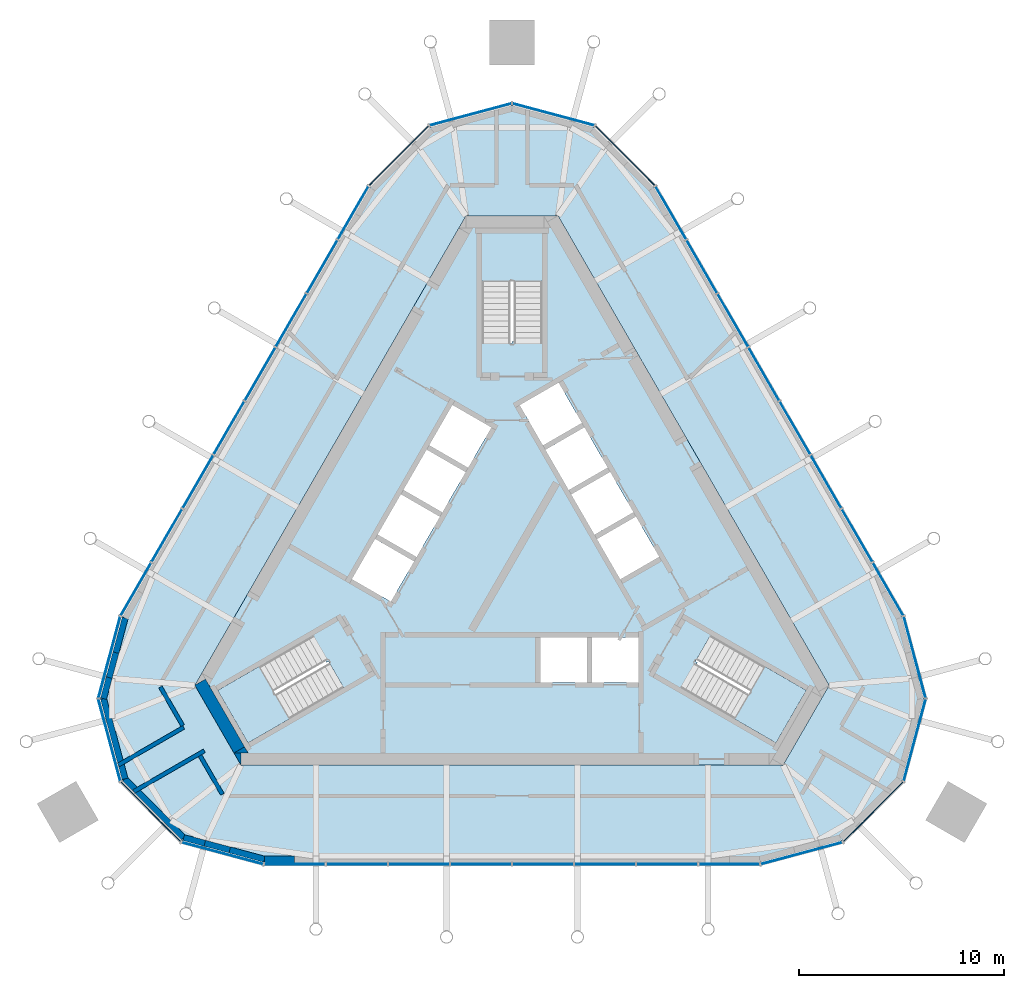
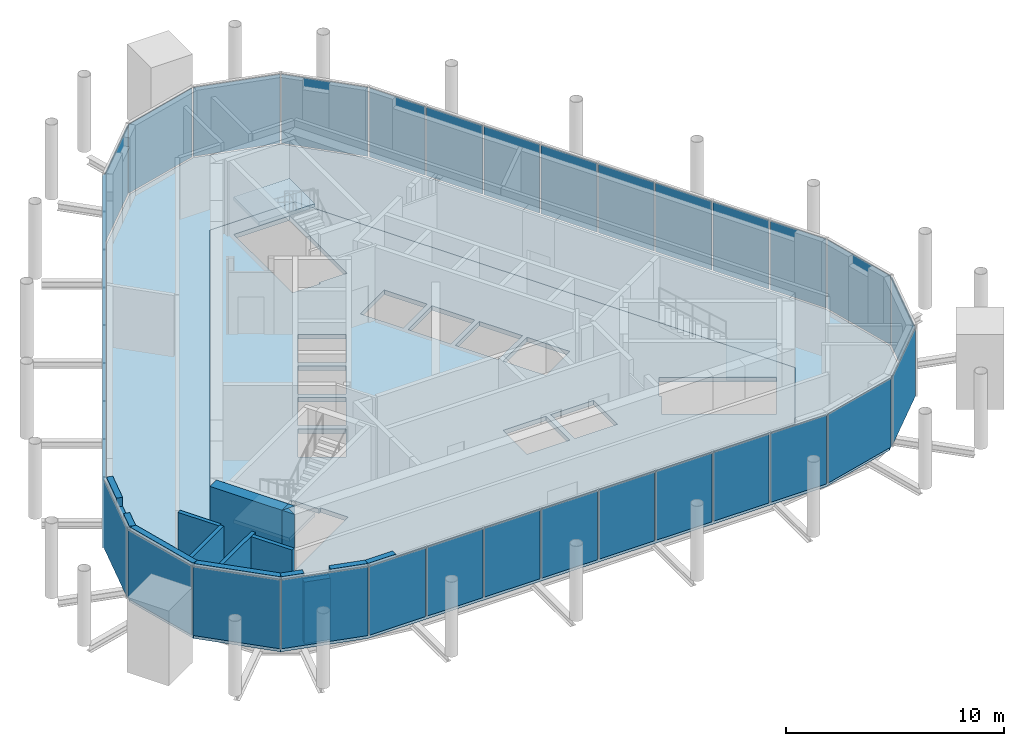
# One storey, part 6 of 11: 36 plates, 16 walls, 5 slabs, 9 elements without a shape of their own.
"""IFC4 building model written with IfcOpenShell, lengths in metres."""

from ifc_helpers import new_model, si_unit, direction, frame, frame_2d, origin, origin_2d, place, context, subcontext, project, spatial, polyline, rectangle, outline, extrude, material, layer, layer_set, type_object, element, aggregate, save


model = new_model("IFC4")

# Units and contexts
model_context = context("Model", 3, precision=1e-05, world=origin(), true_north=direction((0.0, 1.0)))
body_context = subcontext(model_context, "Body", "Model", "MODEL_VIEW")
ifc_project = project(units=[si_unit("LENGTHUNIT", "METRE"), si_unit("AREAUNIT", "SQUARE_METRE"), si_unit("VOLUMEUNIT", "CUBIC_METRE"), si_unit("PLANEANGLEUNIT", "RADIAN"), si_unit("MASSUNIT", "GRAM", prefix="KILO")], contexts=[model_context])

# Site, building, storey
site_placement = place(None, origin())
site = spatial("IfcSite", under=ifc_project, at=site_placement, CompositionType="ELEMENT")
building_placement = place(site_placement, origin())
building = spatial("IfcBuilding", under=site, at=building_placement, Name="Mestral Congress Tower", CompositionType="ELEMENT")
storey_placement = place(building_placement, frame((0.0, 0.0, 340.199951171875)))
storey = spatial("IfcBuildingStorey", under=building, at=storey_placement, Name="L79", CompositionType="ELEMENT", Elevation=340.199951171875)

# Slab
ifc_material_1 = material(Name="Concrete C60/75", Category="concrete")
ifc_layer_1 = layer(ifc_material_1, 0.25)
ifc_layer_set_1 = layer_set([ifc_layer_1], Name="Concrete C60/75")
slab_type_1 = type_object("IfcSlabType", Name="Core floor slab RC 250", PredefinedType="FLOOR", material=ifc_layer_set_1)
placement_1 = place(storey_placement, frame((0.0, 0.0, -0.25)))
element("IfcSlab", 1, at=placement_1, inside=storey, type_object=slab_type_1, Name="L79 core floor", PredefinedType="FLOOR", context=body_context, shape_type="SweptSolid", body=[
    extrude(outline(polyline([(13.250244140625, -10.25), (-13.250244140625, -10.25), (-15.501953125, -6.35009765625), (-2.251708984375, 16.60009765625), (2.251708984375, 16.60009765625), (15.501953125, -6.35009765625), (13.250244140625, -10.25)]), holes=[polyline([(-14.37744140625, -6.59765625), (-12.90234375, -9.15234375), (-8.234619140625, -6.45751953125), (-8.971923828125, -5.179931640625), (-9.0673828125, -5.235107421875), (-9.8046875, -3.95751953125), (-14.37744140625, -6.59765625)]), polyline([(-5.921630859375, -2.256591796875), (-4.78662109375, -0.29052734375), (-6.69189453125, 0.809326171875), (-7.826904296875, -1.156494140625), (-5.921630859375, -2.256591796875)]), polyline([(-4.66162109375, -0.07421875), (-3.526611328125, 1.8916015625), (-5.431884765625, 2.99169921875), (-6.56689453125, 1.02587890625), (-4.66162109375, -0.07421875)]), polyline([(-2.2666015625, 4.07421875), (-4.171875, 5.174072265625), (-5.306884765625, 3.208251953125), (-3.401611328125, 2.1083984375), (-2.2666015625, 4.07421875)]), polyline([(-2.1416015625, 4.29052734375), (-1.006591796875, 6.256591796875), (-2.911865234375, 7.3564453125), (-4.046875, 5.390625), (-2.1416015625, 4.29052734375)]), polyline([(0.376708984375, 7.34765625), (1.51171875, 5.3818359375), (3.4169921875, 6.481689453125), (2.281982421875, 8.44775390625), (0.376708984375, 7.34765625)]), polyline([(1.47509765625, 15.75), (-1.47509765625, 15.75), (-1.47509765625, 10.360107421875), (0.0, 10.360107421875), (0.0, 10.469970703125), (1.47509765625, 10.469970703125), (1.47509765625, 15.75)]), polyline([(8.329833984375, -6.512451171875), (12.90234375, -9.15234375), (14.37744140625, -6.59765625), (9.70947265625, -3.902587890625), (8.971923828125, -5.179931640625), (9.0673828125, -5.235107421875), (8.329833984375, -6.512451171875)]), polyline([(3.655029296875, -4.0), (1.385009765625, -4.0), (1.385009765625, -6.199951171875), (3.655029296875, -6.199951171875), (3.655029296875, -4.0)]), polyline([(6.175048828125, -4.0), (3.905029296875, -4.0), (3.905029296875, -6.199951171875), (6.175048828125, -6.199951171875), (6.175048828125, -4.0)]), polyline([(4.156494140625, 0.800537109375), (5.29150390625, -1.165283203125), (7.197021484375, -0.065185546875), (6.06201171875, 1.900634765625), (4.156494140625, 0.800537109375)]), polyline([(2.896484375, 2.98291015625), (4.031494140625, 1.01708984375), (5.93701171875, 2.1171875), (4.802001953125, 4.0830078125), (2.896484375, 2.98291015625)]), polyline([(1.63671875, 5.165283203125), (2.771484375, 3.199462890625), (4.677001953125, 4.29931640625), (3.5419921875, 6.265380859375), (1.63671875, 5.165283203125)])]), origin(), (0.0, 0.0, 1.0), 0.25),
])

# Stair, slab
stair_type = type_object("IfcStairType", Name="Exit stair 1400", PredefinedType="HALF_TURN_STAIR", material=ifc_material_1)
placement_2 = place(storey_placement, origin())
stair_1 = element("IfcStair", 2, at=placement_2, inside=storey, type_object=stair_type, Name="L79 ST1", PredefinedType="HALF_TURN_STAIR")
ifc_layer_2 = layer(ifc_material_1, 0.199951171875)
ifc_layer_set_2 = layer_set([ifc_layer_2], Name="Concrete C60/75")
slab_type_2 = type_object("IfcSlabType", Name="Exit stair landing 200", PredefinedType="LANDING", material=ifc_layer_set_2)
placement_3 = place(storey_placement, frame((0.0, 0.0, 1.900146484375)))
slab_2 = element("IfcSlab", 3, at=placement_3, type_object=slab_type_2, Name="ST1 landing 1", PredefinedType="LANDING", context=body_context, shape_type="SweptSolid", body=[
    extrude(outline(polyline([(10.879638671875, -7.99609375), (12.364501953125, -5.424072265625), (14.39111328125, -6.593994140625), (12.906005859375, -9.166015625), (10.879638671875, -7.99609375)])), origin(), (0.0, 0.0, 1.0), 0.199951171875),
])
aggregate(stair_1, [slab_2])

stair_2 = element("IfcStair", 4, at=placement_2, inside=storey, type_object=stair_type, Name="L79 ST2", PredefinedType="HALF_TURN_STAIR")
slab_3 = element("IfcSlab", 5, at=placement_3, type_object=slab_type_2, Name="ST2 landing 1", PredefinedType="LANDING", context=body_context, shape_type="SweptSolid", body=[
    extrude(outline(polyline([(1.485107421875, 13.419921875), (-1.485107421875, 13.419921875), (-1.485107421875, 15.760009765625), (1.485107421875, 15.760009765625), (1.485107421875, 13.419921875)])), origin(), (0.0, 0.0, 1.0), 0.199951171875),
])
aggregate(stair_2, [slab_3])

stair_3 = element("IfcStair", 6, at=placement_2, inside=storey, type_object=stair_type, Name="L79 ST3", PredefinedType="HALF_TURN_STAIR")
slab_4 = element("IfcSlab", 7, at=placement_3, type_object=slab_type_2, Name="ST3 landing 1", PredefinedType="LANDING", context=body_context, shape_type="SweptSolid", body=[
    extrude(outline(polyline([(-12.364501953125, -5.424072265625), (-10.879638671875, -7.99609375), (-12.906005859375, -9.166015625), (-14.39111328125, -6.593994140625), (-12.364501953125, -5.424072265625)])), origin(), (0.0, 0.0, 1.0), 0.199951171875),
])
aggregate(stair_3, [slab_4])

# Curtain wall, plates
ifc_material_2 = material(Name="Glazed ceramic", Category="masonry")
curtain_wall_type = type_object("IfcCurtainWallType", Name="Facade plant louvre screen", PredefinedType="USERDEFINED", material=ifc_material_2)
curtain_wall_1 = element("IfcCurtainWall", 8, at=placement_2, inside=storey, type_object=curtain_wall_type, Name="Plant louvre screen corner 1", ObjectType="CURTAIN WALL", PredefinedType="USERDEFINED")
ifc_layer_3 = layer(ifc_material_2, 0.0400390625)
ifc_layer_set_3 = layer_set([ifc_layer_3], Name="Glazed ceramic")
plate_type = type_object("IfcPlateType", Name="Facade plant louvre screen panel", PredefinedType="CURTAIN_PANEL", material=ifc_layer_set_3)
plate_1_placement = place(storey_placement, frame((14.156982421875, -14.558837890625, 0.0), z_axis=(0.0, 0.0, 1.0), x_axis=(0.965925826289, 0.258819045103, 0.0)))
plate_1 = element("IfcPlate", 9, at=plate_1_placement, type_object=plate_type, Name="Ceramic louvre panel", PredefinedType="CURTAIN_PANEL", context=body_context, shape_type="SweptSolid", body=[
    extrude(rectangle(XDim=4.10107421875, YDim=0.0400390625, at=origin_2d()), origin(), (0.0, 0.0, 1.0), 3.85009765625),
])
plate_2_placement = place(storey_placement, frame((17.6591796875, -12.534912109375, 0.0), z_axis=(0.0, 0.0, 1.0), x_axis=(0.707106781187, 0.707106781187, 0.0)))
plate_2 = element("IfcPlate", 10, at=plate_2_placement, type_object=plate_type, Name="Ceramic louvre panel", PredefinedType="CURTAIN_PANEL", context=body_context, shape_type="SweptSolid", body=[
    extrude(rectangle(XDim=4.11474609375, YDim=0.0400390625, at=origin_2d()), origin(), (0.0, 0.0, 1.0), 3.85009765625),
])
plate_3_placement = place(storey_placement, frame((19.68505859375, -9.02587890625, 0.0), z_axis=(0.0, 0.0, 1.0), x_axis=(0.258819045103, 0.965925826289, 0.0)))
plate_3 = element("IfcPlate", 11, at=plate_3_placement, type_object=plate_type, Name="Ceramic louvre panel", PredefinedType="CURTAIN_PANEL", context=body_context, shape_type="SweptSolid", body=[
    extrude(rectangle(XDim=4.11474609375, YDim=0.0400390625, at=origin_2d()), origin(), (0.0, 0.0, 1.0), 3.85009765625),
])
plate_4_placement = place(storey_placement, frame((19.68701171875, -4.980712890625, 0.0), z_axis=(0.0, 0.0, 1.0), x_axis=(-0.258819045103, 0.965925826289, 0.0)))
plate_4 = element("IfcPlate", 12, at=plate_4_placement, type_object=plate_type, Name="Ceramic louvre panel", PredefinedType="CURTAIN_PANEL", context=body_context, shape_type="SweptSolid", body=[
    extrude(rectangle(XDim=4.10107421875, YDim=0.0400390625, at=origin_2d()), origin(), (0.0, 0.0, 1.0), 3.85009765625),
])
aggregate(curtain_wall_1, [plate_1, plate_2, plate_3, plate_4])

curtain_wall_2 = element("IfcCurtainWall", 13, at=placement_2, inside=storey, type_object=curtain_wall_type, Name="Plant louvre screen side 2", ObjectType="CURTAIN WALL", PredefinedType="USERDEFINED")
plate_5_placement = place(storey_placement, frame((18.38720703125, -1.6474609375, 0.0), z_axis=(0.0, 0.0, 1.0), x_axis=(-0.500001511499, 0.866024531118, 0.0)))
plate_5 = element("IfcPlate", 14, at=plate_5_placement, type_object=plate_type, Name="Ceramic louvre panel", PredefinedType="CURTAIN_PANEL", context=body_context, shape_type="SweptSolid", body=[
    extrude(rectangle(XDim=2.954345703125, YDim=0.0400390625, at=origin_2d()), origin(), (0.0, 0.0, 1.0), 3.85009765625),
])
plate_6_placement = place(storey_placement, frame((16.8701171875, 0.98046875, 0.0), z_axis=(0.0, 0.0, 1.0), x_axis=(-0.500001511499, 0.866024531118, 0.0)))
plate_6 = element("IfcPlate", 15, at=plate_6_placement, type_object=plate_type, Name="Ceramic louvre panel", PredefinedType="CURTAIN_PANEL", context=body_context, shape_type="SweptSolid", body=[
    extrude(rectangle(XDim=2.954345703125, YDim=0.0400390625, at=origin_2d()), origin(), (0.0, 0.0, 1.0), 3.85009765625),
])
plate_7_placement = place(storey_placement, frame((15.352783203125, 3.608154296875, 0.0), z_axis=(0.0, 0.0, 1.0), x_axis=(-0.500001511499, 0.866024531118, 0.0)))
plate_7 = element("IfcPlate", 16, at=plate_7_placement, type_object=plate_type, Name="Ceramic louvre panel", PredefinedType="CURTAIN_PANEL", context=body_context, shape_type="SweptSolid", body=[
    extrude(rectangle(XDim=2.954345703125, YDim=0.0400390625, at=origin_2d()), origin(), (0.0, 0.0, 1.0), 3.85009765625),
])
plate_8_placement = place(storey_placement, frame((13.835693359375, 6.236083984375, 0.0), z_axis=(0.0, 0.0, 1.0), x_axis=(-0.500001511499, 0.866024531118, 0.0)))
plate_8 = element("IfcPlate", 17, at=plate_8_placement, type_object=plate_type, Name="Ceramic louvre panel", PredefinedType="CURTAIN_PANEL", context=body_context, shape_type="SweptSolid", body=[
    extrude(rectangle(XDim=2.954345703125, YDim=0.0400390625, at=origin_2d()), origin(), (0.0, 0.0, 1.0), 3.85009765625),
])
plate_9_placement = place(storey_placement, frame((12.318359375, 8.864013671875, 0.0), z_axis=(0.0, 0.0, 1.0), x_axis=(-0.500001511499, 0.866024531118, 0.0)))
plate_9 = element("IfcPlate", 18, at=plate_9_placement, type_object=plate_type, Name="Ceramic louvre panel", PredefinedType="CURTAIN_PANEL", context=body_context, shape_type="SweptSolid", body=[
    extrude(rectangle(XDim=2.954345703125, YDim=0.0400390625, at=origin_2d()), origin(), (0.0, 0.0, 1.0), 3.85009765625),
])
plate_10_placement = place(storey_placement, frame((10.80126953125, 11.49169921875, 0.0), z_axis=(0.0, 0.0, 1.0), x_axis=(-0.500001511499, 0.866024531118, 0.0)))
plate_10 = element("IfcPlate", 19, at=plate_10_placement, type_object=plate_type, Name="Ceramic louvre panel", PredefinedType="CURTAIN_PANEL", context=body_context, shape_type="SweptSolid", body=[
    extrude(rectangle(XDim=2.954345703125, YDim=0.0400390625, at=origin_2d()), origin(), (0.0, 0.0, 1.0), 3.85009765625),
])
plate_11_placement = place(storey_placement, frame((9.283935546875, 14.11962890625, 0.0), z_axis=(0.0, 0.0, 1.0), x_axis=(-0.500001511499, 0.866024531118, 0.0)))
plate_11 = element("IfcPlate", 20, at=plate_11_placement, type_object=plate_type, Name="Ceramic louvre panel", PredefinedType="CURTAIN_PANEL", context=body_context, shape_type="SweptSolid", body=[
    extrude(rectangle(XDim=2.954345703125, YDim=0.0400390625, at=origin_2d()), origin(), (0.0, 0.0, 1.0), 3.85009765625),
])
plate_12_placement = place(storey_placement, frame((7.766845703125, 16.74755859375, 0.0), z_axis=(0.0, 0.0, 1.0), x_axis=(-0.500001511499, 0.866024531118, 0.0)))
plate_12 = element("IfcPlate", 21, at=plate_12_placement, type_object=plate_type, Name="Ceramic louvre panel", PredefinedType="CURTAIN_PANEL", context=body_context, shape_type="SweptSolid", body=[
    extrude(rectangle(XDim=2.954345703125, YDim=0.0400390625, at=origin_2d()), origin(), (0.0, 0.0, 1.0), 3.85009765625),
])
aggregate(curtain_wall_2, [plate_5, plate_6, plate_7, plate_8, plate_9, plate_10, plate_11, plate_12])

curtain_wall_3 = element("IfcCurtainWall", 22, at=placement_2, inside=storey, type_object=curtain_wall_type, Name="Plant louvre screen corner 3", ObjectType="CURTAIN WALL", PredefinedType="USERDEFINED")
plate_13_placement = place(storey_placement, frame((5.530029296875, 19.53955078125, 0.0), z_axis=(0.0, 0.0, 1.0), x_axis=(-0.707106781187, 0.707106781187, 0.0)))
plate_13 = element("IfcPlate", 23, at=plate_13_placement, type_object=plate_type, Name="Ceramic louvre panel", PredefinedType="CURTAIN_PANEL", context=body_context, shape_type="SweptSolid", body=[
    extrude(rectangle(XDim=4.10107421875, YDim=0.0400390625, at=origin_2d()), origin(), (0.0, 0.0, 1.0), 3.85009765625),
])
plate_14_placement = place(storey_placement, frame((2.02587890625, 21.560791015625, 0.0), z_axis=(0.0, 0.0, 1.0), x_axis=(-0.965925826289, 0.258819045103, 0.0)))
plate_14 = element("IfcPlate", 24, at=plate_14_placement, type_object=plate_type, Name="Ceramic louvre panel", PredefinedType="CURTAIN_PANEL", context=body_context, shape_type="SweptSolid", body=[
    extrude(rectangle(XDim=4.11474609375, YDim=0.0400390625, at=origin_2d()), origin(), (0.0, 0.0, 1.0), 3.85009765625),
])
plate_15_placement = place(storey_placement, frame((-2.02587890625, 21.560791015625, 0.0), z_axis=(0.0, 0.0, 1.0), x_axis=(-0.965925826289, -0.258819045103, 0.0)))
plate_15 = element("IfcPlate", 25, at=plate_15_placement, type_object=plate_type, Name="Ceramic louvre panel", PredefinedType="CURTAIN_PANEL", context=body_context, shape_type="SweptSolid", body=[
    extrude(rectangle(XDim=4.11474609375, YDim=0.0400390625, at=origin_2d()), origin(), (0.0, 0.0, 1.0), 3.85009765625),
])
plate_16_placement = place(storey_placement, frame((-5.530029296875, 19.53955078125, 0.0), z_axis=(0.0, 0.0, 1.0), x_axis=(-0.707106781187, -0.707106781187, 0.0)))
plate_16 = element("IfcPlate", 26, at=plate_16_placement, type_object=plate_type, Name="Ceramic louvre panel", PredefinedType="CURTAIN_PANEL", context=body_context, shape_type="SweptSolid", body=[
    extrude(rectangle(XDim=4.10107421875, YDim=0.0400390625, at=origin_2d()), origin(), (0.0, 0.0, 1.0), 3.85009765625),
])
aggregate(curtain_wall_3, [plate_13, plate_14, plate_15, plate_16])

curtain_wall_4 = element("IfcCurtainWall", 27, at=placement_2, inside=storey, type_object=curtain_wall_type, Name="Plant louvre screen side 4", ObjectType="CURTAIN WALL", PredefinedType="USERDEFINED")
plate_17_placement = place(storey_placement, frame((-7.766845703125, 16.74755859375, 0.0), z_axis=(0.0, 0.0, 1.0), x_axis=(-0.500001511499, -0.866024531118, 0.0)))
plate_17 = element("IfcPlate", 28, at=plate_17_placement, type_object=plate_type, Name="Ceramic louvre panel", PredefinedType="CURTAIN_PANEL", context=body_context, shape_type="SweptSolid", body=[
    extrude(rectangle(XDim=2.954345703125, YDim=0.0400390625, at=origin_2d()), origin(), (0.0, 0.0, 1.0), 3.85009765625),
])
plate_18_placement = place(storey_placement, frame((-9.283935546875, 14.11962890625, 0.0), z_axis=(0.0, 0.0, 1.0), x_axis=(-0.500001511499, -0.866024531118, 0.0)))
plate_18 = element("IfcPlate", 29, at=plate_18_placement, type_object=plate_type, Name="Ceramic louvre panel", PredefinedType="CURTAIN_PANEL", context=body_context, shape_type="SweptSolid", body=[
    extrude(rectangle(XDim=2.954345703125, YDim=0.0400390625, at=origin_2d()), origin(), (0.0, 0.0, 1.0), 3.85009765625),
])
plate_19_placement = place(storey_placement, frame((-10.80126953125, 11.49169921875, 0.0), z_axis=(0.0, 0.0, 1.0), x_axis=(-0.500001511499, -0.866024531118, 0.0)))
plate_19 = element("IfcPlate", 30, at=plate_19_placement, type_object=plate_type, Name="Ceramic louvre panel", PredefinedType="CURTAIN_PANEL", context=body_context, shape_type="SweptSolid", body=[
    extrude(rectangle(XDim=2.954345703125, YDim=0.0400390625, at=origin_2d()), origin(), (0.0, 0.0, 1.0), 3.85009765625),
])
plate_20_placement = place(storey_placement, frame((-12.318359375, 8.864013671875, 0.0), z_axis=(0.0, 0.0, 1.0), x_axis=(-0.500001511499, -0.866024531118, 0.0)))
plate_20 = element("IfcPlate", 31, at=plate_20_placement, type_object=plate_type, Name="Ceramic louvre panel", PredefinedType="CURTAIN_PANEL", context=body_context, shape_type="SweptSolid", body=[
    extrude(rectangle(XDim=2.954345703125, YDim=0.0400390625, at=origin_2d()), origin(), (0.0, 0.0, 1.0), 3.85009765625),
])
plate_21_placement = place(storey_placement, frame((-13.835693359375, 6.236083984375, 0.0), z_axis=(0.0, 0.0, 1.0), x_axis=(-0.500001511499, -0.866024531118, 0.0)))
plate_21 = element("IfcPlate", 32, at=plate_21_placement, type_object=plate_type, Name="Ceramic louvre panel", PredefinedType="CURTAIN_PANEL", context=body_context, shape_type="SweptSolid", body=[
    extrude(rectangle(XDim=2.954345703125, YDim=0.0400390625, at=origin_2d()), origin(), (0.0, 0.0, 1.0), 3.85009765625),
])
plate_22_placement = place(storey_placement, frame((-15.352783203125, 3.608154296875, 0.0), z_axis=(0.0, 0.0, 1.0), x_axis=(-0.500001511499, -0.866024531118, 0.0)))
plate_22 = element("IfcPlate", 33, at=plate_22_placement, type_object=plate_type, Name="Ceramic louvre panel", PredefinedType="CURTAIN_PANEL", context=body_context, shape_type="SweptSolid", body=[
    extrude(rectangle(XDim=2.954345703125, YDim=0.0400390625, at=origin_2d()), origin(), (0.0, 0.0, 1.0), 3.85009765625),
])
plate_23_placement = place(storey_placement, frame((-16.8701171875, 0.98046875, 0.0), z_axis=(0.0, 0.0, 1.0), x_axis=(-0.500001511499, -0.866024531118, 0.0)))
plate_23 = element("IfcPlate", 34, at=plate_23_placement, type_object=plate_type, Name="Ceramic louvre panel", PredefinedType="CURTAIN_PANEL", context=body_context, shape_type="SweptSolid", body=[
    extrude(rectangle(XDim=2.954345703125, YDim=0.0400390625, at=origin_2d()), origin(), (0.0, 0.0, 1.0), 3.85009765625),
])
plate_24_placement = place(storey_placement, frame((-18.38720703125, -1.6474609375, 0.0), z_axis=(0.0, 0.0, 1.0), x_axis=(-0.500001511499, -0.866024531118, 0.0)))
plate_24 = element("IfcPlate", 35, at=plate_24_placement, type_object=plate_type, Name="Ceramic louvre panel", PredefinedType="CURTAIN_PANEL", context=body_context, shape_type="SweptSolid", body=[
    extrude(rectangle(XDim=2.954345703125, YDim=0.0400390625, at=origin_2d()), origin(), (0.0, 0.0, 1.0), 3.85009765625),
])
aggregate(curtain_wall_4, [plate_17, plate_18, plate_19, plate_20, plate_21, plate_22, plate_23, plate_24])

curtain_wall_5 = element("IfcCurtainWall", 36, at=placement_2, inside=storey, type_object=curtain_wall_type, Name="Plant louvre screen corner 5", ObjectType="CURTAIN WALL", PredefinedType="USERDEFINED")
plate_25_placement = place(storey_placement, frame((-19.68701171875, -4.980712890625, 0.0), z_axis=(0.0, 0.0, 1.0), x_axis=(-0.258819045103, -0.965925826289, 0.0)))
plate_25 = element("IfcPlate", 37, at=plate_25_placement, type_object=plate_type, Name="Ceramic louvre panel", PredefinedType="CURTAIN_PANEL", context=body_context, shape_type="SweptSolid", body=[
    extrude(rectangle(XDim=4.10107421875, YDim=0.0400390625, at=origin_2d()), origin(), (0.0, 0.0, 1.0), 3.85009765625),
])
plate_26_placement = place(storey_placement, frame((-19.68505859375, -9.02587890625, 0.0), z_axis=(0.0, 0.0, 1.0), x_axis=(0.258819045103, -0.965925826289, 0.0)))
plate_26 = element("IfcPlate", 38, at=plate_26_placement, type_object=plate_type, Name="Ceramic louvre panel", PredefinedType="CURTAIN_PANEL", context=body_context, shape_type="SweptSolid", body=[
    extrude(rectangle(XDim=4.11474609375, YDim=0.0400390625, at=origin_2d()), origin(), (0.0, 0.0, 1.0), 3.85009765625),
])
plate_27_placement = place(storey_placement, frame((-17.6591796875, -12.534912109375, 0.0), z_axis=(0.0, 0.0, 1.0), x_axis=(0.707106781187, -0.707106781187, 0.0)))
plate_27 = element("IfcPlate", 39, at=plate_27_placement, type_object=plate_type, Name="Ceramic louvre panel", PredefinedType="CURTAIN_PANEL", context=body_context, shape_type="SweptSolid", body=[
    extrude(rectangle(XDim=4.11474609375, YDim=0.0400390625, at=origin_2d()), origin(), (0.0, 0.0, 1.0), 3.85009765625),
])
plate_28_placement = place(storey_placement, frame((-14.156982421875, -14.558837890625, 0.0), z_axis=(0.0, 0.0, 1.0), x_axis=(0.965925826289, -0.258819045103, 0.0)))
plate_28 = element("IfcPlate", 40, at=plate_28_placement, type_object=plate_type, Name="Ceramic louvre panel", PredefinedType="CURTAIN_PANEL", context=body_context, shape_type="SweptSolid", body=[
    extrude(rectangle(XDim=4.10107421875, YDim=0.0400390625, at=origin_2d()), origin(), (0.0, 0.0, 1.0), 3.85009765625),
])
aggregate(curtain_wall_5, [plate_25, plate_26, plate_27, plate_28])

curtain_wall_6 = element("IfcCurtainWall", 41, at=placement_2, inside=storey, type_object=curtain_wall_type, Name="Plant louvre screen side 6", ObjectType="CURTAIN WALL", PredefinedType="USERDEFINED")
plate_29_placement = place(storey_placement, frame((-10.620361328125, -15.10009765625, 0.0), z_axis=(0.0, 0.0, 1.0), x_axis=(1.0, 0.0, 0.0)))
plate_29 = element("IfcPlate", 42, at=plate_29_placement, type_object=plate_type, Name="Ceramic louvre panel", PredefinedType="CURTAIN_PANEL", context=body_context, shape_type="SweptSolid", body=[
    extrude(rectangle(XDim=2.954345703125, YDim=0.0400390625, at=origin_2d()), origin(), (0.0, 0.0, 1.0), 3.85009765625),
])
plate_30_placement = place(storey_placement, frame((-7.5859375, -15.10009765625, 0.0), z_axis=(0.0, 0.0, 1.0), x_axis=(1.0, 0.0, 0.0)))
plate_30 = element("IfcPlate", 43, at=plate_30_placement, type_object=plate_type, Name="Ceramic louvre panel", PredefinedType="CURTAIN_PANEL", context=body_context, shape_type="SweptSolid", body=[
    extrude(rectangle(XDim=2.954345703125, YDim=0.0400390625, at=origin_2d()), origin(), (0.0, 0.0, 1.0), 3.85009765625),
])
plate_31_placement = place(storey_placement, frame((-4.551513671875, -15.10009765625, 0.0), z_axis=(0.0, 0.0, 1.0), x_axis=(1.0, 0.0, 0.0)))
plate_31 = element("IfcPlate", 44, at=plate_31_placement, type_object=plate_type, Name="Ceramic louvre panel", PredefinedType="CURTAIN_PANEL", context=body_context, shape_type="SweptSolid", body=[
    extrude(rectangle(XDim=2.954345703125, YDim=0.0400390625, at=origin_2d()), origin(), (0.0, 0.0, 1.0), 3.85009765625),
])
plate_32_placement = place(storey_placement, frame((-1.51708984375, -15.10009765625, 0.0), z_axis=(0.0, 0.0, 1.0), x_axis=(1.0, 0.0, 0.0)))
plate_32 = element("IfcPlate", 45, at=plate_32_placement, type_object=plate_type, Name="Ceramic louvre panel", PredefinedType="CURTAIN_PANEL", context=body_context, shape_type="SweptSolid", body=[
    extrude(rectangle(XDim=2.954345703125, YDim=0.0400390625, at=origin_2d()), origin(), (0.0, 0.0, 1.0), 3.85009765625),
])
plate_33_placement = place(storey_placement, frame((1.51708984375, -15.10009765625, 0.0), z_axis=(0.0, 0.0, 1.0), x_axis=(1.0, 0.0, 0.0)))
plate_33 = element("IfcPlate", 46, at=plate_33_placement, type_object=plate_type, Name="Ceramic louvre panel", PredefinedType="CURTAIN_PANEL", context=body_context, shape_type="SweptSolid", body=[
    extrude(rectangle(XDim=2.954345703125, YDim=0.0400390625, at=origin_2d()), origin(), (0.0, 0.0, 1.0), 3.85009765625),
])
plate_34_placement = place(storey_placement, frame((4.551513671875, -15.10009765625, 0.0), z_axis=(0.0, 0.0, 1.0), x_axis=(1.0, 0.0, 0.0)))
plate_34 = element("IfcPlate", 47, at=plate_34_placement, type_object=plate_type, Name="Ceramic louvre panel", PredefinedType="CURTAIN_PANEL", context=body_context, shape_type="SweptSolid", body=[
    extrude(rectangle(XDim=2.954345703125, YDim=0.0400390625, at=origin_2d()), origin(), (0.0, 0.0, 1.0), 3.85009765625),
])
plate_35_placement = place(storey_placement, frame((7.5859375, -15.10009765625, 0.0), z_axis=(0.0, 0.0, 1.0), x_axis=(1.0, 0.0, 0.0)))
plate_35 = element("IfcPlate", 48, at=plate_35_placement, type_object=plate_type, Name="Ceramic louvre panel", PredefinedType="CURTAIN_PANEL", context=body_context, shape_type="SweptSolid", body=[
    extrude(rectangle(XDim=2.954345703125, YDim=0.0400390625, at=origin_2d()), origin(), (0.0, 0.0, 1.0), 3.85009765625),
])
plate_36_placement = place(storey_placement, frame((10.620361328125, -15.10009765625, 0.0), z_axis=(0.0, 0.0, 1.0), x_axis=(1.0, 0.0, 0.0)))
plate_36 = element("IfcPlate", 49, at=plate_36_placement, type_object=plate_type, Name="Ceramic louvre panel", PredefinedType="CURTAIN_PANEL", context=body_context, shape_type="SweptSolid", body=[
    extrude(rectangle(XDim=2.954345703125, YDim=0.0400390625, at=origin_2d()), origin(), (0.0, 0.0, 1.0), 3.85009765625),
])
aggregate(curtain_wall_6, [plate_29, plate_30, plate_31, plate_32, plate_33, plate_34, plate_35, plate_36])

# Slab
ifc_material_3 = material(Name="Concrete C35/45", Category="concrete")
ifc_layer_4 = layer(ifc_material_3, 0.25)
ifc_layer_set_4 = layer_set([ifc_layer_4], Name="Concrete C35/45")
slab_type_3 = type_object("IfcSlabType", Name="Plant floor slab 250", PredefinedType="FLOOR", material=ifc_layer_set_4)
element("IfcSlab", 50, at=placement_1, inside=storey, type_object=slab_type_3, Name="SL-L79-PLANT", PredefinedType="FLOOR", context=body_context, shape_type="SweptSolid", body=[
    extrude(outline(polyline([(12.12451171875, -15.0), (16.12451171875, -13.92822265625), (19.052490234375, -11.0), (20.12451171875, -7.0), (19.052490234375, -3.0), (6.92822265625, 18.0), (4.0, 20.92822265625), (0.0, 22.0), (-4.0, 20.92822265625), (-6.92822265625, 18.0), (-19.052490234375, -3.0), (-20.12451171875, -7.0), (-19.052490234375, -11.0), (-16.12451171875, -13.92822265625), (-12.12451171875, -15.0), (12.12451171875, -15.0)]), holes=[polyline([(-2.251708984375, 16.60009765625), (-15.501953125, -6.35009765625), (-13.250244140625, -10.25), (13.250244140625, -10.25), (15.501953125, -6.35009765625), (2.251708984375, 16.60009765625), (-2.251708984375, 16.60009765625)])]), origin(), (0.0, 0.0, 1.0), 0.25),
])

# Walls
ifc_layer_5 = layer(ifc_material_1, 0.60009765625)
ifc_layer_set_5 = layer_set([ifc_layer_5], Name="Concrete C60/75")
wall_type_1 = type_object("IfcWallType", Name="Core wall RC 600", PredefinedType="SOLIDWALL", material=ifc_layer_set_5)
element("IfcWall", 51, at=placement_2, inside=storey, type_object=wall_type_1, Name="L79 core wall", PredefinedType="SOLIDWALL", context=body_context, shape_type="SweptSolid", body=[
    extrude(outline(polyline([(-13.5966796875, -9.64990234375), (-13.258544921875, -9.64990234375), (-13.258544921875, -10.235595703125), (-13.5966796875, -9.64990234375)])), origin(), (0.0, 0.0, 1.0), 4.199951171875),
])
wall_2_placement = place(storey_placement, frame((-13.33349609375, -9.505615234375, 0.0), z_axis=(0.0, 0.0, 1.0), x_axis=(-0.500019073792, 0.866014391245, 0.0)))
element("IfcWall", 52, at=wall_2_placement, inside=storey, type_object=wall_type_1, Name="L79 core wall", PredefinedType="SOLIDWALL", context=body_context, shape_type="SweptSolid", body=[
    extrude(rectangle(XDim=3.823486328125, YDim=0.60009765625, at=frame_2d((1.91162109375, 0.0))), origin(), (0.0, 0.0, 1.0), 4.199951171875),
])
element("IfcWall", 53, at=placement_2, inside=storey, type_object=wall_type_1, Name="L79 core wall", PredefinedType="SOLIDWALL", context=body_context, shape_type="SweptSolid", body=[
    extrude(outline(polyline([(-12.90380859375, -9.64990234375), (-13.579833984375, -9.64990234375), (-13.07275390625, -9.357421875), (-12.90380859375, -9.64990234375)])), origin(), (0.0, 0.0, 1.0), 4.199951171875),
])
ifc_material_4 = material(Name="Precast concrete C40/50 with limestone facing", Category="masonry")
ifc_layer_6 = layer(ifc_material_4, 0.300048828125)
ifc_layer_set_6 = layer_set([ifc_layer_6], Name="Precast concrete C40/50 with limestone facing")
wall_type_2 = type_object("IfcWallType", Name="Crown plant block wall 300", PredefinedType="SOLIDWALL", material=ifc_layer_set_6)
wall_4_placement = place(storey_placement, frame((-18.912841796875, -3.057861328125, 0.0), z_axis=(0.0, 0.0, 1.0), x_axis=(-0.258824282894, -0.965924422812, 0.0)))
element("IfcWall", 54, at=wall_4_placement, inside=storey, type_object=wall_type_2, Name="Plant block wall 11", PredefinedType="SOLIDWALL", context=body_context, shape_type="SweptSolid", body=[
    extrude(rectangle(XDim=1.752685546875, YDim=0.300048828125, at=frame_2d((0.87646484375, 0.0))), origin(), (0.0, 0.0, 1.0), 3.949951171875),
])
wall_5_placement = place(storey_placement, frame((-19.693603515625, -5.9716796875, 0.0), z_axis=(0.0, 0.0, 1.0), x_axis=(-0.258690231517, -0.96596033258, 0.0)))
element("IfcWall", 55, at=wall_5_placement, inside=storey, type_object=wall_type_2, Name="Plant block wall 11", PredefinedType="SOLIDWALL", context=body_context, shape_type="SweptSolid", body=[
    extrude(rectangle(XDim=1.064453125, YDim=0.300048828125, at=frame_2d((0.5322265625, 0.0))), origin(), (0.0, 0.0, 1.0), 3.949951171875),
])
for number, where, z_axis, x_axis, name in (
    (56, (-19.968994140625, -7.0, 0.0), (0.0, 0.0, 1.0), (0.258770144726, -0.965938927779, 0.0), "Plant block wall 12"),
    (57, (-18.918212890625, -10.92236328125, 0.0), (0.0, 0.0, 1.0), (0.707106781187, -0.707106781187, 0.0), "Plant block wall 13"),
):
    element("IfcWall", number, at=place(storey_placement, frame(where, z_axis=z_axis, x_axis=x_axis)), inside=storey, type_object=wall_type_2, Name=name, PredefinedType="SOLIDWALL", context=body_context, shape_type="SweptSolid", body=[
        extrude(rectangle(XDim=4.060791015625, YDim=0.300048828125, at=frame_2d((2.0302734375, 0.0))), origin(), (0.0, 0.0, 1.0), 3.949951171875),
    ])
wall_6_placement = place(storey_placement, frame((-16.046875, -13.793701171875, 0.0), z_axis=(0.0, 0.0, 1.0), x_axis=(0.965918371587, -0.258846864828, 0.0)))
element("IfcWall", 58, at=wall_6_placement, inside=storey, type_object=wall_type_2, Name="Plant block wall 14", PredefinedType="SOLIDWALL", context=body_context, shape_type="SweptSolid", body=[
    extrude(rectangle(XDim=1.06494140625, YDim=0.300048828125, at=frame_2d((0.532470703125, 0.0))), origin(), (0.0, 0.0, 1.0), 3.949951171875),
])
wall_7_placement = place(storey_placement, frame((-13.79736328125, -14.396484375, 0.0), z_axis=(0.0, 0.0, 1.0), x_axis=(0.965915089044, -0.258859113723, 0.0)))
element("IfcWall", 59, at=wall_7_placement, inside=storey, type_object=wall_type_2, Name="Plant block wall 14", PredefinedType="SOLIDWALL", context=body_context, shape_type="SweptSolid", body=[
    extrude(rectangle(XDim=1.75244140625, YDim=0.300048828125, at=frame_2d((0.876220703125, 0.0))), origin(), (0.0, 0.0, 1.0), 3.949951171875),
])
wall_8_placement = place(storey_placement, frame((-12.104736328125, -14.85009765625, 0.0), z_axis=(0.0, 0.0, 1.0), x_axis=(1.0, 0.0, 0.0)))
element("IfcWall", 60, at=wall_8_placement, inside=storey, type_object=wall_type_2, Name="Plant block wall 15", PredefinedType="SOLIDWALL", context=body_context, shape_type="SweptSolid", body=[
    extrude(rectangle(XDim=1.4638671875, YDim=0.300048828125, at=frame_2d((0.73193359375, 0.0))), origin(), (0.0, 0.0, 1.0), 3.949951171875),
])
ifc_layer_7 = layer(ifc_material_4, 0.300048828125)
ifc_layer_set_7 = layer_set([ifc_layer_7], Name="Precast concrete C40/50 with limestone facing")
wall_type_3 = type_object("IfcWallType", Name="Crown plant block wall 300 under girder", PredefinedType="SOLIDWALL", material=ifc_layer_set_7)
for number, where, z_axis, x_axis, name in (
    (61, (-19.366455078125, -4.750732421875, 0.0), (0.0, 0.0, 1.0), (-0.258816538161, -0.965926498018, 0.0), "Plant block wall 11"),
    (62, (-15.018310546875, -14.0693359375, 0.0), (0.0, 0.0, 1.0), (0.965926498018, -0.258816538161, 0.0), "Plant block wall 14"),
):
    element("IfcWall", number, at=place(storey_placement, frame(where, z_axis=z_axis, x_axis=x_axis)), inside=storey, type_object=wall_type_3, Name=name, PredefinedType="SOLIDWALL", context=body_context, shape_type="SweptSolid", body=[
        extrude(rectangle(XDim=1.263916015625, YDim=0.300048828125, at=frame_2d((0.6318359375, 0.0))), origin(), (0.0, 0.0, 1.0), 3.449951171875),
    ])
ifc_material_5 = material(Name="Concrete block wall, plastered", Category="concrete")
ifc_layer_8 = layer(ifc_material_5, 0.199951171875)
ifc_layer_set_8 = layer_set([ifc_layer_8], Name="Concrete block wall, plastered")
wall_type_4 = type_object("IfcWallType", Name="Special partition 200 EI 120", PredefinedType="PARTITIONING", material=ifc_layer_set_8)
wall_9_placement = place(storey_placement, frame((-19.244384765625, -10.24462890625, 0.0), z_axis=(0.0, 0.0, 1.0), x_axis=(0.866026863259, 0.499997472108, 0.0)))
element("IfcWall", 63, at=wall_9_placement, inside=storey, type_object=wall_type_4, Name="Partition", PredefinedType="PARTITIONING", context=body_context, shape_type="SweptSolid", body=[
    extrude(rectangle(XDim=3.6884765625, YDim=0.199951171875, at=frame_2d((1.84423828125, 0.0))), origin(), (0.0, 0.0, 1.0), 3.449951171875),
])
wall_10_placement = place(storey_placement, frame((-15.040283203125, -9.549560546875, 0.0), z_axis=(0.0, 0.0, 1.0), x_axis=(-0.866034723298, -0.499983857782, 0.0)))
element("IfcWall", 64, at=wall_10_placement, inside=storey, type_object=wall_type_4, Name="Partition", PredefinedType="PARTITIONING", context=body_context, shape_type="SweptSolid", body=[
    extrude(rectangle(XDim=3.988525390625, YDim=0.199951171875, at=frame_2d((1.994140625, 0.0))), origin(), (0.0, 0.0, 1.0), 3.449951171875),
])
for number, where, z_axis, x_axis, name in (
    (65, (-16.10009765625, -8.31396484375, 0.0), (0.0, 0.0, 1.0), (-0.499997407846, 0.86602690036, 0.0), "Partition"),
    (66, (-14.1611328125, -11.672119140625, 0.0), (0.0, 0.0, 1.0), (-0.499997407846, 0.86602690036, 0.0), "Partition"),
):
    element("IfcWall", number, at=place(storey_placement, frame(where, z_axis=z_axis, x_axis=x_axis)), inside=storey, type_object=wall_type_4, Name=name, PredefinedType="PARTITIONING", context=body_context, shape_type="SweptSolid", body=[
        extrude(rectangle(XDim=2.177734375, YDim=0.199951171875, at=frame_2d((1.0888671875, 0.0))), origin(), (0.0, 0.0, 1.0), 3.449951171875),
    ])

save(model, "model.ifc")
